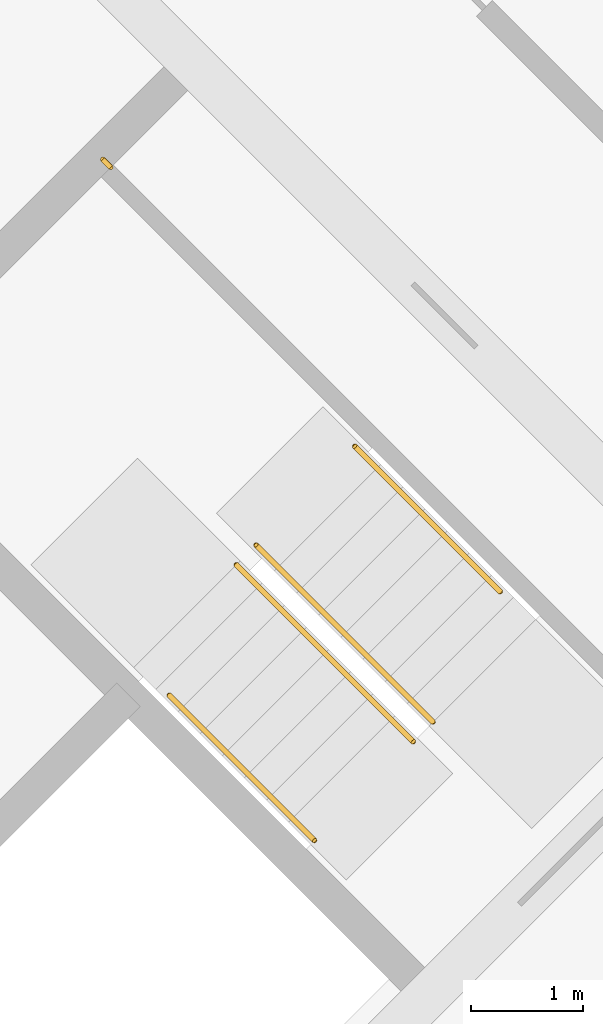
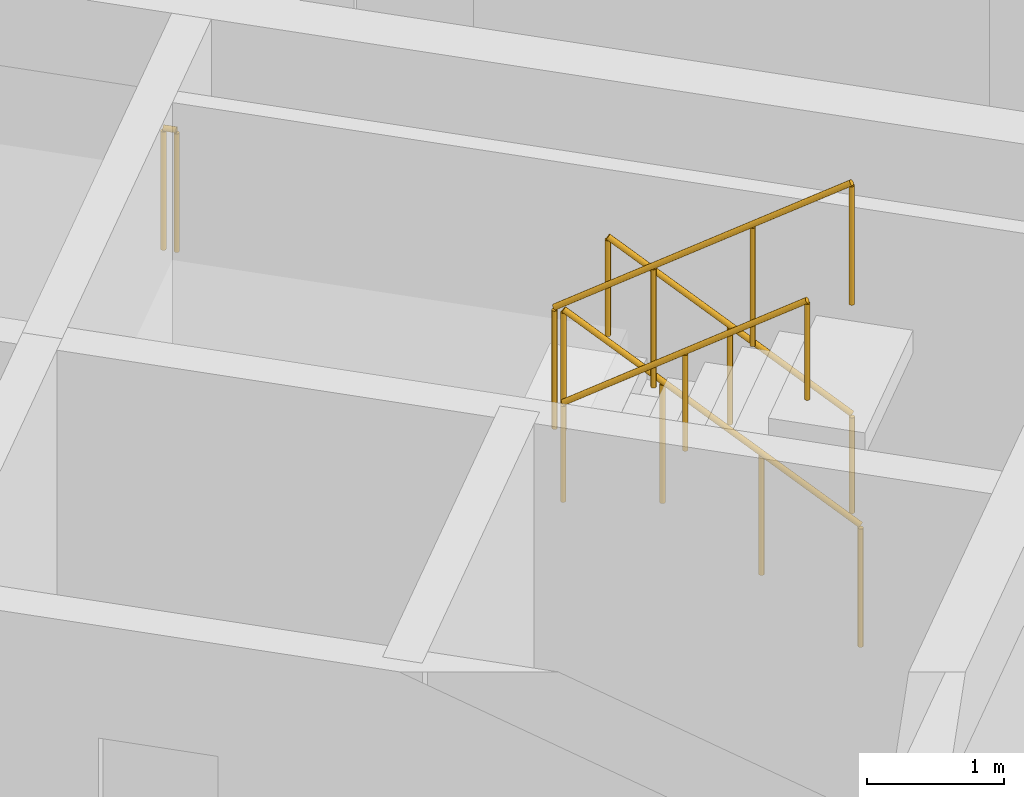
# One storey, part 12 of 12: 5 railings.
"""IFC4 building model written with IfcOpenShell, lengths in metres."""

import ifcopenshell
import ifcopenshell.guid

model = None  # the IFC model being written
_history = None  # IfcOwnerHistory: only IFC2X3 demands one
_inside = {}  # id of a spatial element -> (the spatial element, [elements in it])
_under = {}  # id of a project, library or spatial element -> (it, [spatial elements below it])
_declared = {}  # id of a project -> (the project, [libraries it declares])
_typed = {}  # id of a type object -> (the type object, [elements of that type])
_made_of = {}  # id of a material, layer set ... -> (it, [elements and type objects made of it])


def new_model(schema):
    """Start an empty IFC model of exactly this schema.

    Asked for "IFC4X3", IfcOpenShell would pick the latest addendum, in which some entities
    have other attributes; the version numbers below select the first issue.
    IFC2X3 requires an IfcOwnerHistory on every rooted entity: one is made here for all.
    """
    global model, _history
    if schema == "IFC4X3":
        model = ifcopenshell.file(schema_version=(4, 3, 0, 0))
    else:
        model = ifcopenshell.file(schema=schema)
    _inside.clear()
    _under.clear()
    _declared.clear()
    _typed.clear()
    _made_of.clear()
    _history = None
    if model.schema == "IFC2X3":
        org = make("IfcOrganization", Name="unknown")
        user = make(
            "IfcPersonAndOrganization",
            ThePerson=make("IfcPerson", FamilyName="unknown"),
            TheOrganization=org,
        )
        app = make(
            "IfcApplication",
            ApplicationDeveloper=org,
            Version="unknown",
            ApplicationFullName="unknown",
            ApplicationIdentifier="unknown",
        )
        _history = make(
            "IfcOwnerHistory",
            OwningUser=user,
            OwningApplication=app,
            ChangeAction="ADDED",
            CreationDate=0,
        )
    return model


def make(cls, **values):
    """One entity of the class cls with the attributes given. An attribute that is None is left unset."""
    return model.create_entity(
        cls, **{name: value for name, value in values.items() if value is not None}
    )


def rooted(cls, **values):
    """An entity with a GlobalId (a new one), such as an element, a storey or a relation."""
    return make(cls, GlobalId=ifcopenshell.guid.new(), OwnerHistory=_history, **values)


def si_unit(unit_type, name, prefix=None):
    """IfcSIUnit, for example si_unit("LENGTHUNIT", "METRE", prefix="MILLI")."""
    return make("IfcSIUnit", UnitType=unit_type, Prefix=prefix, Name=name)


def assignment(units):
    """IfcUnitAssignment: the units of a project."""
    return None if units is None else make("IfcUnitAssignment", Units=units)


def point(xyz):
    """IfcCartesianPoint."""
    return None if xyz is None else make("IfcCartesianPoint", Coordinates=xyz)


def direction(xyz):
    """IfcDirection."""
    return None if xyz is None else make("IfcDirection", DirectionRatios=xyz)


def frame(location, z_axis=None, x_axis=None):
    """IfcAxis2Placement3D, a coordinate frame: its origin and axes. An axis left out is left unset."""
    return make(
        "IfcAxis2Placement3D",
        Location=point(location),
        Axis=direction(z_axis),
        RefDirection=direction(x_axis),
    )


def frame_2d(location, x_axis=None):
    """IfcAxis2Placement2D, a coordinate frame in the plane: its origin and x axis."""
    return make(
        "IfcAxis2Placement2D", Location=point(location), RefDirection=direction(x_axis)
    )


def origin():
    """The frame at (0, 0, 0) with its axes left unset."""
    return frame((0.0, 0.0, 0.0))


def origin_2d():
    """The frame at (0, 0) in the plane with its x axis left unset."""
    return frame_2d((0.0, 0.0))


def place(relative_to, where):
    """IfcLocalPlacement: puts the frame where relative to a parent placement (None: the world)."""
    return make(
        "IfcLocalPlacement", PlacementRelTo=relative_to, RelativePlacement=where
    )


def context(
    kind, dimensions, precision=None, world=None, true_north=None, identifier=None
):
    """IfcGeometricRepresentationContext, for example the 3D "Model" context."""
    return make(
        "IfcGeometricRepresentationContext",
        ContextIdentifier=identifier,
        ContextType=kind,
        CoordinateSpaceDimension=dimensions,
        Precision=precision,
        WorldCoordinateSystem=world,
        TrueNorth=true_north,
    )


def subcontext(parent, identifier, kind, view, scale=None):
    """IfcGeometricRepresentationSubContext, for example "Body" below "Model"."""
    return make(
        "IfcGeometricRepresentationSubContext",
        ContextIdentifier=identifier,
        ContextType=kind,
        ParentContext=parent,
        TargetScale=scale,
        TargetView=view,
    )


def project(units=None, contexts=None):
    """IfcProject with its units and contexts."""
    return rooted(
        "IfcProject",
        Name="project",
        RepresentationContexts=contexts,
        UnitsInContext=assignment(units),
    )


def spatial(cls, under=None, at=None, **own):
    """A site, building, storey or space (cls), placed at a placement, below another one or the project."""
    s = rooted(cls, ObjectPlacement=at, **own)
    if under is not None:
        _under.setdefault(under.id(), (under, []))[1].append(s)
    return s


def profile(cls, at=None, kind="AREA", **sizes):
    """A parametric profile (cls). Its sizes go by their IFC names, for example OverallWidth=200.0."""
    return make(cls, ProfileType=kind, Position=at, **sizes)


def circle(**sizes):
    """IfcCircleProfileDef."""
    return profile("IfcCircleProfileDef", **sizes)


def extrude(swept, where, along, depth):
    """IfcExtrudedAreaSolid: the profile swept, set in the frame where, extruded along a direction by depth."""
    return make(
        "IfcExtrudedAreaSolid",
        SweptArea=swept,
        Position=where,
        ExtrudedDirection=direction(along),
        Depth=depth,
    )


def shape(context_of_items, identifier, shape_type, items):
    """IfcShapeRepresentation: the items that make up one representation, for example the "Body"."""
    return make(
        "IfcShapeRepresentation",
        ContextOfItems=context_of_items,
        RepresentationIdentifier=identifier,
        RepresentationType=shape_type,
        Items=items,
    )


def material(Name=None, Category=None):
    """IfcMaterial."""
    return make("IfcMaterial", Name=Name, Category=Category)


def made_of(thing, what):
    """Note that an element or type object is made of a material, layer set ...; save() writes the relation."""
    if what is not None:
        _made_of.setdefault(what.id(), (what, []))[1].append(thing)
    return thing


def type_object(cls, material=None, **own):
    """A type object (cls), such as IfcWallType, which elements share."""
    return made_of(rooted(cls, **own), material)


def element(
    cls,
    number,
    at=None,
    inside=None,
    cuts=None,
    type_object=None,
    material=None,
    context=None,
    identifier="Body",
    shape_type=None,
    held_by="IfcProductDefinitionShape",
    body=None,
    shapes=None,
    **own,
):
    """One element of the class cls, such as IfcWall. Its Tag is "e" and its number.

    at: its placement. inside: the storey or other place that contains it. cuts: it is an
    opening in that element (IfcRelVoidsElement). A single representation is given by context,
    identifier, shape_type and body (its items); several are given by shapes. held_by: the class
    of the entity that holds the representations. save() writes the other relations.
    """
    e = rooted(cls, Tag="e%d" % number, ObjectPlacement=at, **own)
    if body is not None:
        shapes = [shape(context, identifier, shape_type, body)]
    if shapes is not None:
        e.Representation = make(held_by, Representations=shapes)
    if inside is not None:
        _inside.setdefault(inside.id(), (inside, []))[1].append(e)
    if cuts is not None:
        rooted(
            "IfcRelVoidsElement", RelatingBuildingElement=cuts, RelatedOpeningElement=e
        )
    if type_object is not None:
        _typed.setdefault(type_object.id(), (type_object, []))[1].append(e)
    return made_of(e, material)


def aggregate(whole, parts):
    """IfcRelAggregates: a whole, such as a stair, and the parts it consists of."""
    return rooted("IfcRelAggregates", RelatingObject=whole, RelatedObjects=parts)


def save(model, path):
    """Write the relations noted so far, then the file.

    IfcRelAggregates (storeys below a building ...), IfcRelContainedInSpatialStructure (elements
    in a storey), IfcRelDefinesByType, IfcRelAssociatesMaterial and IfcRelDeclares: one each for
    every whole, place, type object, material and project.
    """
    for whole, parts in _under.values():
        aggregate(whole, parts)
    for where, things in _inside.values():
        rooted(
            "IfcRelContainedInSpatialStructure",
            RelatedElements=things,
            RelatingStructure=where,
        )
    for kind, things in _typed.values():
        rooted("IfcRelDefinesByType", RelatedObjects=things, RelatingType=kind)
    for what, things in _made_of.values():
        rooted("IfcRelAssociatesMaterial", RelatedObjects=things, RelatingMaterial=what)
    for by, libraries in _declared.values():
        rooted("IfcRelDeclares", RelatingContext=by, RelatedDefinitions=libraries)
    model.write(path)


model = new_model("IFC4")

# Units and contexts
model_context = context("Model", 3, precision=1e-05, world=origin(), true_north=direction((0.0, 1.0)))
body_context = subcontext(model_context, "Body", "Model", "MODEL_VIEW")
ifc_project = project(units=[si_unit("LENGTHUNIT", "METRE"), si_unit("AREAUNIT", "SQUARE_METRE"), si_unit("VOLUMEUNIT", "CUBIC_METRE"), si_unit("PLANEANGLEUNIT", "RADIAN"), si_unit("MASSUNIT", "GRAM", prefix="KILO")], contexts=[model_context])

# Site, building, storey
site_placement = place(None, origin())
site = spatial("IfcSite", under=ifc_project, at=site_placement, CompositionType="ELEMENT")
building_placement = place(site_placement, origin())
building = spatial("IfcBuilding", under=site, at=building_placement, Name="Windrow Commons", CompositionType="ELEMENT")
storey_placement = place(building_placement, frame((0.0, 0.0, 260.8)))
storey = spatial("IfcBuildingStorey", under=building, at=storey_placement, Name="L71", CompositionType="ELEMENT", Elevation=260.8)

# Railings
ifc_material_1 = material(Name="Steel S355", Category="steel")
railing_type_1 = type_object("IfcRailingType", Name="Core stair guard 1100", PredefinedType="GUARDRAIL", material=ifc_material_1)
railing_1_placement = place(storey_placement, frame((94.2296, 48.4215, 0.1889)))
element("IfcRailing", 1, at=railing_1_placement, inside=storey, type_object=railing_type_1, Name="L71 ST-B2 stair guard 1", PredefinedType="GUARDRAIL", context=body_context, shape_type="SweptSolid", body=[
    extrude(circle(Radius=0.024, at=origin_2d()), frame((0.0, 0.0, 1.076), z_axis=(-0.5862157828, 0.5861787742, 0.5592365337), x_axis=(-0.7070844598, -0.7071291018, 0.0)), (0.0, 0.0, 1.0), 2.7021),
    extrude(circle(Radius=0.021, at=origin_2d()), origin(), (0.0, 0.0, 1.0), 1.052),
    extrude(circle(Radius=0.021, at=origin_2d()), frame((-0.528, 0.528, 0.5037)), (0.0, 0.0, 1.0), 1.052),
    extrude(circle(Radius=0.021, at=origin_2d()), frame((-1.056, 1.0559, 1.0074)), (0.0, 0.0, 1.0), 1.052),
    extrude(circle(Radius=0.021, at=origin_2d()), frame((-1.584, 1.5839, 1.5111)), (0.0, 0.0, 1.0), 1.052),
])
railing_2_placement = place(storey_placement, frame((92.4689, 49.8287, 1.8889)))
element("IfcRailing", 2, at=railing_2_placement, inside=storey, type_object=railing_type_1, Name="L71 ST-B2 stair guard 2", PredefinedType="GUARDRAIL", context=body_context, shape_type="SweptSolid", body=[
    extrude(circle(Radius=0.024, at=origin_2d()), frame((0.0, 0.0, 1.076), z_axis=(0.5861787742, -0.5862157828, 0.5592365337), x_axis=(0.7071291018, 0.7070844598, 0.0)), (0.0, 0.0, 1.0), 2.7021),
    extrude(circle(Radius=0.021, at=origin_2d()), origin(), (0.0, 0.0, 1.0), 1.052),
    extrude(circle(Radius=0.021, at=origin_2d()), frame((0.528, -0.528, 0.5037)), (0.0, 0.0, 1.0), 1.052),
    extrude(circle(Radius=0.021, at=origin_2d()), frame((1.0559, -1.056, 1.0074)), (0.0, 0.0, 1.0), 1.052),
    extrude(circle(Radius=0.021, at=origin_2d()), frame((1.5839, -1.584, 1.5111)), (0.0, 0.0, 1.0), 1.052),
])
railing_3_placement = place(storey_placement, frame((91.3446, 53.3854, 1.7)))
element("IfcRailing", 3, at=railing_3_placement, inside=storey, type_object=railing_type_1, Name="L71 ST-B2 stair guard 3", PredefinedType="GUARDRAIL", context=body_context, shape_type="SweptSolid", body=[
    extrude(circle(Radius=0.024, at=origin_2d()), frame((0.0, 0.0, 1.076), z_axis=(-0.7076063266, 0.7066068826, 0.0), x_axis=(-0.7066068826, -0.7076063266, 0.0)), (0.0, 0.0, 1.0), 0.1001),
    extrude(circle(Radius=0.021, at=origin_2d()), origin(), (0.0, 0.0, 1.0), 1.052),
    extrude(circle(Radius=0.021, at=origin_2d()), frame((-0.0708, 0.0707, 0.0)), (0.0, 0.0, 1.0), 1.052),
])
ifc_material_2 = material(Name="Steel S355", Category="steel")
railing_type_2 = type_object("IfcRailingType", Name="Core stair handrail 900", PredefinedType="HANDRAIL", material=ifc_material_2)
railing_4_placement = place(storey_placement, frame((94.8306, 49.5883, 0.4587)))
element("IfcRailing", 4, at=railing_4_placement, inside=storey, type_object=railing_type_2, Name="L71 ST-B2 stair handrail 1", PredefinedType="HANDRAIL", context=body_context, shape_type="SweptSolid", body=[
    extrude(circle(Radius=0.024, at=origin_2d()), frame((0.0, 0.0, 0.876), z_axis=(-0.586206706, 0.5861616513, 0.5592639952), x_axis=(-0.7070796062, -0.7071339551, 0.0)), (0.0, 0.0, 1.0), 2.2195),
    extrude(circle(Radius=0.021, at=origin_2d()), origin(), (0.0, 0.0, 1.0), 0.852),
    extrude(circle(Radius=0.021, at=origin_2d()), frame((-0.6506, 0.6505, 0.6207)), (0.0, 0.0, 1.0), 0.852),
    extrude(circle(Radius=0.021, at=origin_2d()), frame((-1.3011, 1.301, 1.2413)), (0.0, 0.0, 1.0), 0.852),
])
railing_5_placement = place(storey_placement, frame((91.8678, 48.6619, 2.1587)))
element("IfcRailing", 5, at=railing_5_placement, inside=storey, type_object=railing_type_2, Name="L71 ST-B2 stair handrail 2", PredefinedType="HANDRAIL", context=body_context, shape_type="SweptSolid", body=[
    extrude(circle(Radius=0.024, at=origin_2d()), frame((0.0, 0.0, 0.876), z_axis=(0.586206706, -0.5861616513, 0.5592639952), x_axis=(0.7070796062, 0.7071339551, 0.0)), (0.0, 0.0, 1.0), 2.2195),
    extrude(circle(Radius=0.021, at=origin_2d()), origin(), (0.0, 0.0, 1.0), 0.852),
    extrude(circle(Radius=0.021, at=origin_2d()), frame((0.6505, -0.6505, 0.6206)), (0.0, 0.0, 1.0), 0.852),
    extrude(circle(Radius=0.021, at=origin_2d()), frame((1.3011, -1.301, 1.2413)), (0.0, 0.0, 1.0), 0.852),
])

save(model, "model.ifc")
